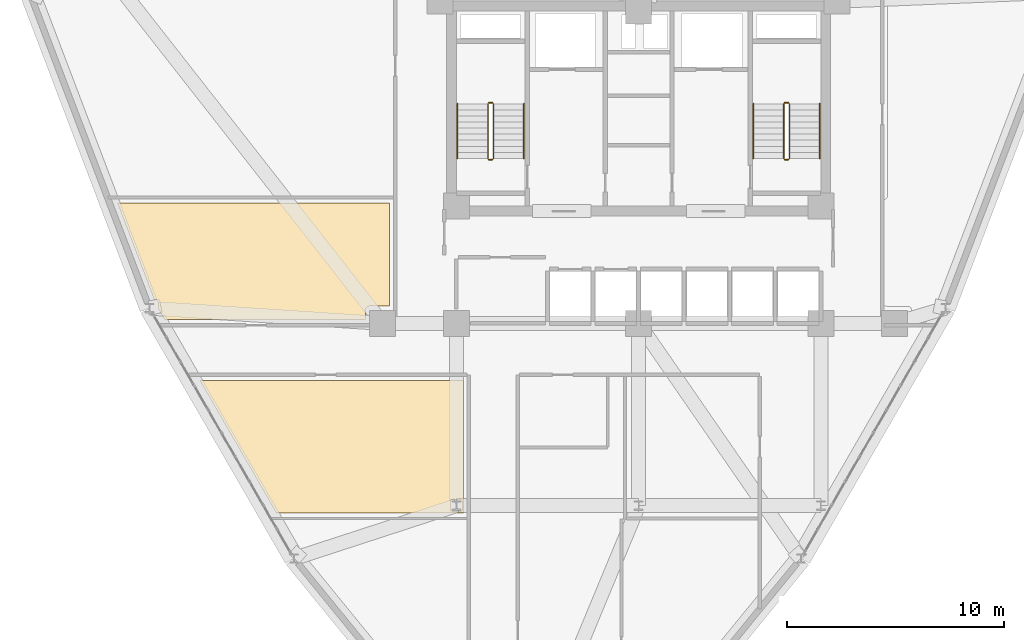
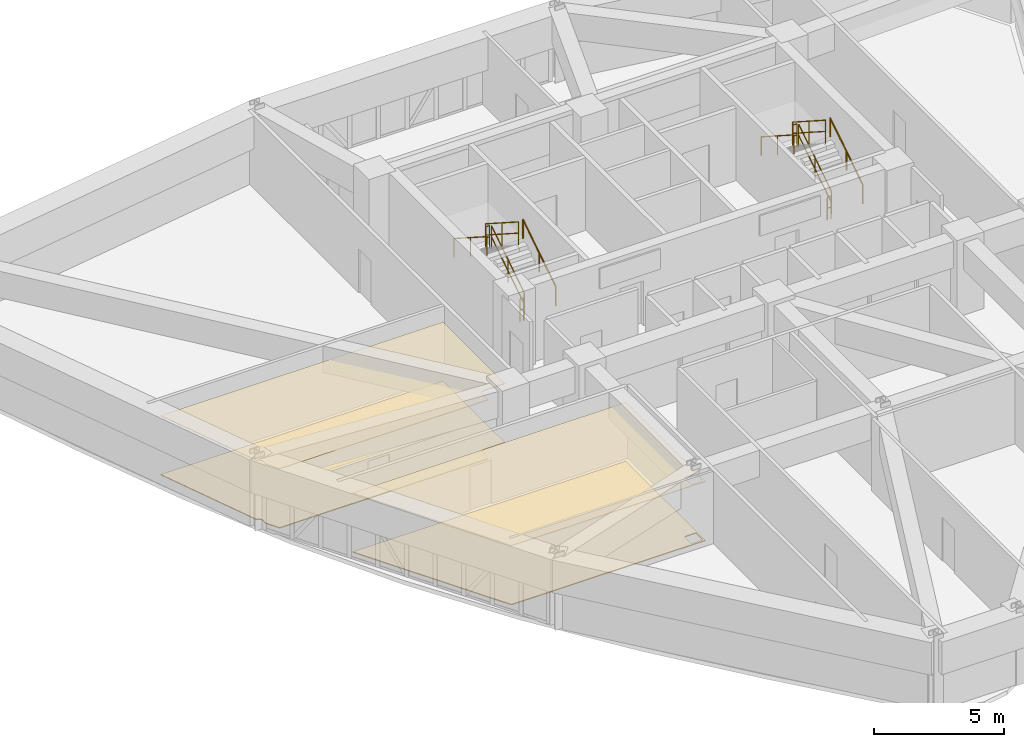
# One storey, part 15 of 16: 12 railings, 4 coverings.
"""IFC4 building model written with IfcOpenShell, lengths in metres."""

from ifc_helpers import new_model, si_unit, derived_unit, direction, frame, origin, origin_2d, place, context, subcontext, project, spatial, polyline, circle, outline, extrude, material, layer, layer_set, type_object, element, save


model = new_model("IFC4")

# Units and contexts
model_context = context("Model", 3, precision=1e-05, world=origin(), true_north=direction((0.0, 1.0)))
body_context = subcontext(model_context, "Body", "Model", "MODEL_VIEW")
ifc_project = project(units=[si_unit("LENGTHUNIT", "METRE"), si_unit("AREAUNIT", "SQUARE_METRE"), si_unit("VOLUMEUNIT", "CUBIC_METRE"), si_unit("PLANEANGLEUNIT", "RADIAN"), si_unit("MASSUNIT", "GRAM", prefix="KILO"), derived_unit("THERMALTRANSMITTANCEUNIT", [(si_unit("POWERUNIT", "WATT"), 1), (si_unit("LENGTHUNIT", "METRE"), -2), (si_unit("THERMODYNAMICTEMPERATUREUNIT", "KELVIN"), -1)])], contexts=[model_context])

# Site, building, storey
site_placement = place(None, origin())
site = spatial("IfcSite", under=ifc_project, at=site_placement, CompositionType="ELEMENT")
building_placement = place(site_placement, origin())
building = spatial("IfcBuilding", under=site, at=building_placement, Name="Korsvarv Bourse and Concert Hall", CompositionType="ELEMENT")
storey_placement = place(building_placement, frame((0.0, 0.0, 143.39990234375)))
storey = spatial("IfcBuildingStorey", under=building, at=storey_placement, Name="L36", CompositionType="ELEMENT", Elevation=143.39990234375)

# Coverings
ifc_material_1 = material(Name="Perforated mineral-wool and birch acoustic baffle ceiling", Category="wood")
ifc_layer_1 = layer(ifc_material_1, 0.02490234375)
ifc_layer_set_1 = layer_set([ifc_layer_1], Name="Perforated mineral-wool and birch acoustic baffle ceiling")
covering_type_1 = type_object("IfcCoveringType", Name="COV-CEIL-1", PredefinedType="CEILING", material=ifc_layer_set_1)
covering_1_placement = place(storey_placement, frame((0.0, 0.0, 2.780029296875)))
element("IfcCovering", 1, at=covering_1_placement, inside=storey, type_object=covering_type_1, Name="L36 acoustic baffle ceiling 2", PredefinedType="CEILING", context=body_context, shape_type="SweptSolid", body=[
    extrude(outline(polyline([(19.3037109375, 23.64990234375), (15.7705078125, 29.77001953125), (27.919921875, 29.77001953125), (27.919921875, 23.64990234375), (19.3037109375, 23.64990234375)]), holes=[polyline([(27.38427734375, 23.7333984375), (27.805908203125, 23.732421875), (27.82958984375, 23.73828125), (27.84765625, 23.754638671875), (27.855712890625, 23.777587890625), (27.85595703125, 24.217529296875), (27.85009765625, 24.2412109375), (27.833740234375, 24.259033203125), (27.810791015625, 24.267333984375), (27.39404296875, 24.267578125), (27.370361328125, 24.26171875), (27.352294921875, 24.245361328125), (27.34423828125, 24.222412109375), (27.343994140625, 23.782470703125), (27.349853515625, 23.7587890625), (27.38427734375, 23.7333984375)])]), origin(), (0.0, 0.0, 1.0), 0.025146484375),
])
covering_2_placement = place(storey_placement, frame((0.0, 0.0, 2.780029296875)))
element("IfcCovering", 2, at=covering_2_placement, inside=storey, type_object=covering_type_1, Name="L36 acoustic baffle ceiling 3", PredefinedType="CEILING", context=body_context, shape_type="SweptSolid", body=[
    extrude(outline(polyline([(13.849853515625, 33.0966796875), (13.849853515625, 33.320068359375), (13.84619140625, 33.355712890625), (13.835693359375, 33.389892578125), (13.818603515625, 33.42138671875), (13.795654296875, 33.44873046875), (13.767578125, 33.47119140625), (13.73583984375, 33.487548828125), (13.701416015625, 33.497314453125), (13.666259765625, 33.500732421875), (11.97509765625, 37.949951171875), (24.52001953125, 37.949951171875), (24.52001953125, 33.18994140625), (23.60009765625, 33.18994140625), (23.565185546875, 33.1865234375), (23.53173828125, 33.176513671875), (23.5009765625, 33.160400390625), (23.473876953125, 33.13818359375), (23.451416015625, 33.111572265625), (23.4345703125, 33.080810546875), (23.424072265625, 33.047607421875), (23.419921875, 33.012939453125), (23.412841796875, 32.570068359375), (14.154052734375, 32.570068359375), (13.849853515625, 33.0966796875)])), origin(), (0.0, 0.0, 1.0), 0.025146484375),
])
ifc_material_2 = material(Name="Calcium-sulphate raised access trading floor with Nordic oak top", Category="wood")
ifc_layer_2 = layer(ifc_material_2, 0.0400390625)
ifc_layer_set_2 = layer_set([ifc_layer_2], Name="Calcium-sulphate raised access trading floor with Nordic oak top")
covering_type_2 = type_object("IfcCoveringType", Name="COV-FLOR-1", PredefinedType="FLOORING", material=ifc_layer_set_2)
covering_3_placement = place(storey_placement, origin())
element("IfcCovering", 3, at=covering_3_placement, inside=storey, type_object=covering_type_2, Name="L36 raised access oak floor finish 2", PredefinedType="FLOORING", context=body_context, shape_type="SweptSolid", body=[
    extrude(outline(polyline([(19.3037109375, 23.64990234375), (15.7705078125, 29.77001953125), (27.919921875, 29.77001953125), (27.919921875, 23.64990234375), (19.3037109375, 23.64990234375)]), holes=[polyline([(27.38427734375, 23.7333984375), (27.805908203125, 23.732421875), (27.82958984375, 23.73828125), (27.84765625, 23.754638671875), (27.855712890625, 23.777587890625), (27.85595703125, 24.217529296875), (27.85009765625, 24.2412109375), (27.833740234375, 24.259033203125), (27.810791015625, 24.267333984375), (27.39404296875, 24.267578125), (27.370361328125, 24.26171875), (27.352294921875, 24.245361328125), (27.34423828125, 24.222412109375), (27.343994140625, 23.782470703125), (27.349853515625, 23.7587890625), (27.38427734375, 23.7333984375)])]), origin(), (0.0, 0.0, 1.0), 0.0400390625),
])
covering_4_placement = place(storey_placement, origin())
element("IfcCovering", 4, at=covering_4_placement, inside=storey, type_object=covering_type_2, Name="L36 raised access oak floor finish 3", PredefinedType="FLOORING", context=body_context, shape_type="SweptSolid", body=[
    extrude(outline(polyline([(13.849853515625, 33.0966796875), (13.849853515625, 33.320068359375), (13.84619140625, 33.355712890625), (13.835693359375, 33.389892578125), (13.818603515625, 33.42138671875), (13.795654296875, 33.44873046875), (13.767578125, 33.47119140625), (13.73583984375, 33.487548828125), (13.701416015625, 33.497314453125), (13.666259765625, 33.500732421875), (11.97509765625, 37.949951171875), (24.52001953125, 37.949951171875), (24.52001953125, 33.18994140625), (23.60009765625, 33.18994140625), (23.565185546875, 33.1865234375), (23.53173828125, 33.176513671875), (23.5009765625, 33.160400390625), (23.473876953125, 33.13818359375), (23.451416015625, 33.111572265625), (23.4345703125, 33.080810546875), (23.424072265625, 33.047607421875), (23.419921875, 33.012939453125), (23.412841796875, 32.570068359375), (14.154052734375, 32.570068359375), (13.849853515625, 33.0966796875)])), origin(), (0.0, 0.0, 1.0), 0.0400390625),
])

# Railings
ifc_material_3 = material(Name="Painted Steel S355 stair well guardrail", Category="steel")
railing_type_1 = type_object("IfcRailingType", Name="RL-ST-GRD", PredefinedType="GUARDRAIL", material=ifc_material_3)
railing_1_placement = place(storey_placement, frame((29.31005859375, 40.0, 0.18017578125)))
element("IfcRailing", 5, at=railing_1_placement, inside=storey, type_object=railing_type_1, Name="L36 ST-T1 stair guard 1", PredefinedType="GUARDRAIL", context=body_context, shape_type="SweptSolid", body=[
    extrude(circle(Radius=0.02392578125, at=origin_2d()), frame((0.0, 0.0, 1.076171875), z_axis=(0.0, 0.841199657755, 0.540724639528), x_axis=(-1.0, 0.0, 0.0)), (0.0, 0.0, 1.0), 2.995849609375),
    extrude(circle(Radius=0.02392578125, at=origin_2d()), frame((0.0, 0.0, 0.550048828125), z_axis=(0.0, 0.841199657755, 0.540724639528), x_axis=(-1.0, 0.0, 0.0)), (0.0, 0.0, 1.0), 2.995849609375),
    extrude(circle(Radius=0.02099609375, at=origin_2d()), origin(), (0.0, 0.0, 1.0), 1.052001953125),
    extrude(circle(Radius=0.02099609375, at=origin_2d()), frame((0.0, 1.260009765625, 0.81005859375)), (0.0, 0.0, 1.0), 1.052001953125),
    extrude(circle(Radius=0.02099609375, at=origin_2d()), frame((0.0, 2.52001953125, 1.619873046875)), (0.0, 0.0, 1.0), 1.052001953125),
])
railing_2_placement = place(storey_placement, frame((29.260009765625, 42.570068359375, 1.800048828125)))
element("IfcRailing", 6, at=railing_2_placement, inside=storey, type_object=railing_type_1, Name="L36 ST-T1 stair guard 2", PredefinedType="GUARDRAIL", context=body_context, shape_type="SweptSolid", body=[
    extrude(circle(Radius=0.02392578125, at=origin_2d()), frame((0.0, 0.0, 1.076171875), z_axis=(-1.0, 0.0, 0.0), x_axis=(0.0, -1.0, 0.0)), (0.0, 0.0, 1.0), 0.159912109375),
    extrude(circle(Radius=0.02392578125, at=origin_2d()), frame((0.0, 0.0, 0.550048828125), z_axis=(-1.0, 0.0, 0.0), x_axis=(0.0, -1.0, 0.0)), (0.0, 0.0, 1.0), 0.159912109375),
    extrude(circle(Radius=0.02099609375, at=origin_2d()), origin(), (0.0, 0.0, 1.0), 1.052001953125),
    extrude(circle(Radius=0.02099609375, at=origin_2d()), frame((-0.159912109375, 0.0, 0.0)), (0.0, 0.0, 1.0), 1.052001953125),
])
railing_3_placement = place(storey_placement, frame((29.050048828125, 42.52001953125, 1.97998046875)))
element("IfcRailing", 7, at=railing_3_placement, inside=storey, type_object=railing_type_1, Name="L36 ST-T1 stair guard 3", PredefinedType="GUARDRAIL", context=body_context, shape_type="SweptSolid", body=[
    extrude(circle(Radius=0.02392578125, at=origin_2d()), frame((0.0, 0.0, 1.076171875), z_axis=(0.0, -0.841162588446, 0.540782303519), x_axis=(1.0, 0.0, 0.0)), (0.0, 0.0, 1.0), 2.995849609375),
    extrude(circle(Radius=0.02392578125, at=origin_2d()), frame((0.0, 0.0, 0.550048828125), z_axis=(0.0, -0.841162588446, 0.540782303519), x_axis=(1.0, 0.0, 0.0)), (0.0, 0.0, 1.0), 2.995849609375),
    extrude(circle(Radius=0.02099609375, at=origin_2d()), origin(), (0.0, 0.0, 1.0), 1.052001953125),
    extrude(circle(Radius=0.02099609375, at=origin_2d()), frame((0.0, -1.260009765625, 0.81005859375)), (0.0, 0.0, 1.0), 1.052001953125),
    extrude(circle(Radius=0.02099609375, at=origin_2d()), frame((0.0, -2.52001953125, 1.6201171875)), (0.0, 0.0, 1.0), 1.052001953125),
])
railing_4_placement = place(storey_placement, frame((29.260009765625, 39.949951171875, 0.0)))
element("IfcRailing", 8, at=railing_4_placement, inside=storey, type_object=railing_type_1, Name="L36 ST-T1 stair guard 4", PredefinedType="GUARDRAIL", context=body_context, shape_type="SweptSolid", body=[
    extrude(circle(Radius=0.02392578125, at=origin_2d()), frame((0.0, 0.0, 1.076171875), z_axis=(-1.0, 0.0, 0.0), x_axis=(0.0, -1.0, 0.0)), (0.0, 0.0, 1.0), 0.159912109375),
    extrude(circle(Radius=0.02392578125, at=origin_2d()), frame((0.0, 0.0, 0.550048828125), z_axis=(-1.0, 0.0, 0.0), x_axis=(0.0, -1.0, 0.0)), (0.0, 0.0, 1.0), 0.159912109375),
    extrude(circle(Radius=0.02099609375, at=origin_2d()), origin(), (0.0, 0.0, 1.0), 1.052001953125),
    extrude(circle(Radius=0.02099609375, at=origin_2d()), frame((-0.159912109375, 0.0, 0.0)), (0.0, 0.0, 1.0), 1.052001953125),
])
railing_5_placement = place(storey_placement, frame((42.949951171875, 40.0, 0.18017578125)))
element("IfcRailing", 9, at=railing_5_placement, inside=storey, type_object=railing_type_1, Name="L36 ST-T2 stair guard 1", PredefinedType="GUARDRAIL", context=body_context, shape_type="SweptSolid", body=[
    extrude(circle(Radius=0.02392578125, at=origin_2d()), frame((0.0, 0.0, 1.076171875), z_axis=(0.0, 0.841199657755, 0.540724639528), x_axis=(-1.0, 0.0, 0.0)), (0.0, 0.0, 1.0), 2.995849609375),
    extrude(circle(Radius=0.02392578125, at=origin_2d()), frame((0.0, 0.0, 0.550048828125), z_axis=(0.0, 0.841199657755, 0.540724639528), x_axis=(-1.0, 0.0, 0.0)), (0.0, 0.0, 1.0), 2.995849609375),
    extrude(circle(Radius=0.02099609375, at=origin_2d()), origin(), (0.0, 0.0, 1.0), 1.052001953125),
    extrude(circle(Radius=0.02099609375, at=origin_2d()), frame((0.0, 1.260009765625, 0.81005859375)), (0.0, 0.0, 1.0), 1.052001953125),
    extrude(circle(Radius=0.02099609375, at=origin_2d()), frame((0.0, 2.52001953125, 1.619873046875)), (0.0, 0.0, 1.0), 1.052001953125),
])
railing_6_placement = place(storey_placement, frame((42.89990234375, 42.570068359375, 1.800048828125)))
element("IfcRailing", 10, at=railing_6_placement, inside=storey, type_object=railing_type_1, Name="L36 ST-T2 stair guard 2", PredefinedType="GUARDRAIL", context=body_context, shape_type="SweptSolid", body=[
    extrude(circle(Radius=0.02392578125, at=origin_2d()), frame((0.0, 0.0, 1.076171875), z_axis=(-1.0, 0.0, 0.0), x_axis=(0.0, -1.0, 0.0)), (0.0, 0.0, 1.0), 0.159912109375),
    extrude(circle(Radius=0.02392578125, at=origin_2d()), frame((0.0, 0.0, 0.550048828125), z_axis=(-1.0, 0.0, 0.0), x_axis=(0.0, -1.0, 0.0)), (0.0, 0.0, 1.0), 0.159912109375),
    extrude(circle(Radius=0.02099609375, at=origin_2d()), origin(), (0.0, 0.0, 1.0), 1.052001953125),
    extrude(circle(Radius=0.02099609375, at=origin_2d()), frame((-0.159912109375, 0.0, 0.0)), (0.0, 0.0, 1.0), 1.052001953125),
])
railing_7_placement = place(storey_placement, frame((42.68994140625, 42.52001953125, 1.97998046875)))
element("IfcRailing", 11, at=railing_7_placement, inside=storey, type_object=railing_type_1, Name="L36 ST-T2 stair guard 3", PredefinedType="GUARDRAIL", context=body_context, shape_type="SweptSolid", body=[
    extrude(circle(Radius=0.02392578125, at=origin_2d()), frame((0.0, 0.0, 1.076171875), z_axis=(0.0, -0.841162588446, 0.540782303519), x_axis=(1.0, 0.0, 0.0)), (0.0, 0.0, 1.0), 2.995849609375),
    extrude(circle(Radius=0.02392578125, at=origin_2d()), frame((0.0, 0.0, 0.550048828125), z_axis=(0.0, -0.841162588446, 0.540782303519), x_axis=(1.0, 0.0, 0.0)), (0.0, 0.0, 1.0), 2.995849609375),
    extrude(circle(Radius=0.02099609375, at=origin_2d()), origin(), (0.0, 0.0, 1.0), 1.052001953125),
    extrude(circle(Radius=0.02099609375, at=origin_2d()), frame((0.0, -1.260009765625, 0.81005859375)), (0.0, 0.0, 1.0), 1.052001953125),
    extrude(circle(Radius=0.02099609375, at=origin_2d()), frame((0.0, -2.52001953125, 1.6201171875)), (0.0, 0.0, 1.0), 1.052001953125),
])
railing_8_placement = place(storey_placement, frame((42.89990234375, 39.949951171875, 0.0)))
element("IfcRailing", 12, at=railing_8_placement, inside=storey, type_object=railing_type_1, Name="L36 ST-T2 stair guard 4", PredefinedType="GUARDRAIL", context=body_context, shape_type="SweptSolid", body=[
    extrude(circle(Radius=0.02392578125, at=origin_2d()), frame((0.0, 0.0, 1.076171875), z_axis=(-1.0, 0.0, 0.0), x_axis=(0.0, -1.0, 0.0)), (0.0, 0.0, 1.0), 0.159912109375),
    extrude(circle(Radius=0.02392578125, at=origin_2d()), frame((0.0, 0.0, 0.550048828125), z_axis=(-1.0, 0.0, 0.0), x_axis=(0.0, -1.0, 0.0)), (0.0, 0.0, 1.0), 0.159912109375),
    extrude(circle(Radius=0.02099609375, at=origin_2d()), origin(), (0.0, 0.0, 1.0), 1.052001953125),
    extrude(circle(Radius=0.02099609375, at=origin_2d()), frame((-0.159912109375, 0.0, 0.0)), (0.0, 0.0, 1.0), 1.052001953125),
])
ifc_material_4 = material(Name="Brushed stainless Steel S355 tubular handrail", Category="steel")
railing_type_2 = type_object("IfcRailingType", Name="RL-ST-HND", PredefinedType="HANDRAIL", material=ifc_material_4)
railing_9_placement = place(storey_placement, frame((30.7099609375, 40.0, 0.18017578125)))
element("IfcRailing", 13, at=railing_9_placement, inside=storey, type_object=railing_type_2, Name="L36 ST-T1 stair handrail 1", PredefinedType="HANDRAIL", context=body_context, shape_type="SweptSolid", body=[
    extrude(circle(Radius=0.02392578125, at=origin_2d()), frame((0.0, 0.0, 0.8759765625), z_axis=(0.0, 0.841199657755, 0.540724639528), x_axis=(-1.0, 0.0, 0.0)), (0.0, 0.0, 1.0), 2.995849609375),
    extrude(circle(Radius=0.02099609375, at=origin_2d()), origin(), (0.0, 0.0, 1.0), 0.851806640625),
    extrude(circle(Radius=0.02099609375, at=origin_2d()), frame((0.0, 1.260009765625, 0.81005859375)), (0.0, 0.0, 1.0), 0.851806640625),
    extrude(circle(Radius=0.02099609375, at=origin_2d()), frame((0.0, 2.52001953125, 1.619873046875)), (0.0, 0.0, 1.0), 0.851806640625),
])
railing_10_placement = place(storey_placement, frame((27.64990234375, 42.52001953125, 1.97998046875)))
element("IfcRailing", 14, at=railing_10_placement, inside=storey, type_object=railing_type_2, Name="L36 ST-T1 stair handrail 2", PredefinedType="HANDRAIL", context=body_context, shape_type="SweptSolid", body=[
    extrude(circle(Radius=0.02392578125, at=origin_2d()), frame((0.0, 0.0, 0.8759765625), z_axis=(0.0, -0.841162588446, 0.540782303519), x_axis=(1.0, 0.0, 0.0)), (0.0, 0.0, 1.0), 2.995849609375),
    extrude(circle(Radius=0.02099609375, at=origin_2d()), origin(), (0.0, 0.0, 1.0), 0.851806640625),
    extrude(circle(Radius=0.02099609375, at=origin_2d()), frame((0.0, -1.260009765625, 0.81005859375)), (0.0, 0.0, 1.0), 0.851806640625),
    extrude(circle(Radius=0.02099609375, at=origin_2d()), frame((0.0, -2.52001953125, 1.6201171875)), (0.0, 0.0, 1.0), 0.851806640625),
])
railing_11_placement = place(storey_placement, frame((44.35009765625, 40.0, 0.18017578125)))
element("IfcRailing", 15, at=railing_11_placement, inside=storey, type_object=railing_type_2, Name="L36 ST-T2 stair handrail 1", PredefinedType="HANDRAIL", context=body_context, shape_type="SweptSolid", body=[
    extrude(circle(Radius=0.02392578125, at=origin_2d()), frame((0.0, 0.0, 0.8759765625), z_axis=(0.0, 0.841199657755, 0.540724639528), x_axis=(-1.0, 0.0, 0.0)), (0.0, 0.0, 1.0), 2.995849609375),
    extrude(circle(Radius=0.02099609375, at=origin_2d()), origin(), (0.0, 0.0, 1.0), 0.851806640625),
    extrude(circle(Radius=0.02099609375, at=origin_2d()), frame((0.0, 1.260009765625, 0.81005859375)), (0.0, 0.0, 1.0), 0.851806640625),
    extrude(circle(Radius=0.02099609375, at=origin_2d()), frame((0.0, 2.52001953125, 1.619873046875)), (0.0, 0.0, 1.0), 0.851806640625),
])
railing_12_placement = place(storey_placement, frame((41.2900390625, 42.52001953125, 1.97998046875)))
element("IfcRailing", 16, at=railing_12_placement, inside=storey, type_object=railing_type_2, Name="L36 ST-T2 stair handrail 2", PredefinedType="HANDRAIL", context=body_context, shape_type="SweptSolid", body=[
    extrude(circle(Radius=0.02392578125, at=origin_2d()), frame((0.0, 0.0, 0.8759765625), z_axis=(0.0, -0.841162588446, 0.540782303519), x_axis=(1.0, 0.0, 0.0)), (0.0, 0.0, 1.0), 2.995849609375),
    extrude(circle(Radius=0.02099609375, at=origin_2d()), origin(), (0.0, 0.0, 1.0), 0.851806640625),
    extrude(circle(Radius=0.02099609375, at=origin_2d()), frame((0.0, -1.260009765625, 0.81005859375)), (0.0, 0.0, 1.0), 0.851806640625),
    extrude(circle(Radius=0.02099609375, at=origin_2d()), frame((0.0, -2.52001953125, 1.6201171875)), (0.0, 0.0, 1.0), 0.851806640625),
])

save(model, "model.ifc")
